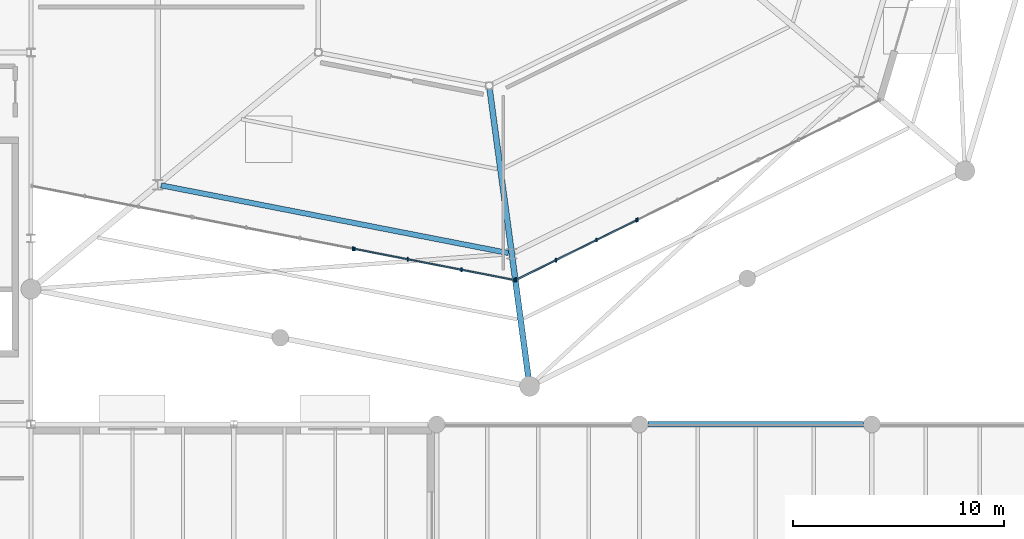
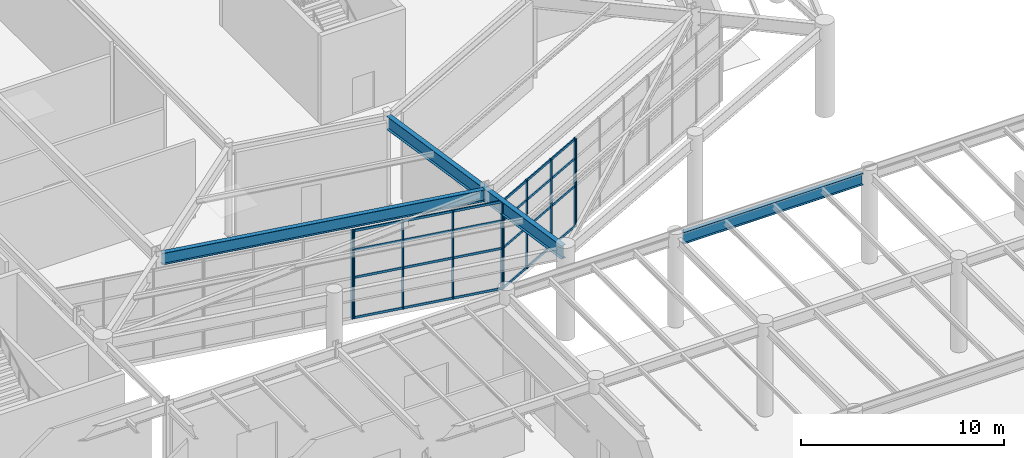
# One storey, part 29 of 70: 18 members, 3 beams, 4 elements without a shape of their own.
"""IFC4 building model written with IfcOpenShell, lengths in metres."""

import ifcopenshell
import ifcopenshell.guid

model = None  # the IFC model being written
_history = None  # IfcOwnerHistory: only IFC2X3 demands one
_inside = {}  # id of a spatial element -> (the spatial element, [elements in it])
_under = {}  # id of a project, library or spatial element -> (it, [spatial elements below it])
_declared = {}  # id of a project -> (the project, [libraries it declares])
_typed = {}  # id of a type object -> (the type object, [elements of that type])
_made_of = {}  # id of a material, layer set ... -> (it, [elements and type objects made of it])


def new_model(schema):
    """Start an empty IFC model of exactly this schema.

    Asked for "IFC4X3", IfcOpenShell would pick the latest addendum, in which some entities
    have other attributes; the version numbers below select the first issue.
    IFC2X3 requires an IfcOwnerHistory on every rooted entity: one is made here for all.
    """
    global model, _history
    if schema == "IFC4X3":
        model = ifcopenshell.file(schema_version=(4, 3, 0, 0))
    else:
        model = ifcopenshell.file(schema=schema)
    _inside.clear()
    _under.clear()
    _declared.clear()
    _typed.clear()
    _made_of.clear()
    _history = None
    if model.schema == "IFC2X3":
        org = make("IfcOrganization", Name="unknown")
        user = make(
            "IfcPersonAndOrganization",
            ThePerson=make("IfcPerson", FamilyName="unknown"),
            TheOrganization=org,
        )
        app = make(
            "IfcApplication",
            ApplicationDeveloper=org,
            Version="unknown",
            ApplicationFullName="unknown",
            ApplicationIdentifier="unknown",
        )
        _history = make(
            "IfcOwnerHistory",
            OwningUser=user,
            OwningApplication=app,
            ChangeAction="ADDED",
            CreationDate=0,
        )
    return model


def make(cls, **values):
    """One entity of the class cls with the attributes given. An attribute that is None is left unset."""
    return model.create_entity(
        cls, **{name: value for name, value in values.items() if value is not None}
    )


def rooted(cls, **values):
    """An entity with a GlobalId (a new one), such as an element, a storey or a relation."""
    return make(cls, GlobalId=ifcopenshell.guid.new(), OwnerHistory=_history, **values)


def si_unit(unit_type, name, prefix=None):
    """IfcSIUnit, for example si_unit("LENGTHUNIT", "METRE", prefix="MILLI")."""
    return make("IfcSIUnit", UnitType=unit_type, Prefix=prefix, Name=name)


def assignment(units):
    """IfcUnitAssignment: the units of a project."""
    return None if units is None else make("IfcUnitAssignment", Units=units)


def point(xyz):
    """IfcCartesianPoint."""
    return None if xyz is None else make("IfcCartesianPoint", Coordinates=xyz)


def direction(xyz):
    """IfcDirection."""
    return None if xyz is None else make("IfcDirection", DirectionRatios=xyz)


def frame(location, z_axis=None, x_axis=None):
    """IfcAxis2Placement3D, a coordinate frame: its origin and axes. An axis left out is left unset."""
    return make(
        "IfcAxis2Placement3D",
        Location=point(location),
        Axis=direction(z_axis),
        RefDirection=direction(x_axis),
    )


def frame_2d(location, x_axis=None):
    """IfcAxis2Placement2D, a coordinate frame in the plane: its origin and x axis."""
    return make(
        "IfcAxis2Placement2D", Location=point(location), RefDirection=direction(x_axis)
    )


def origin():
    """The frame at (0, 0, 0) with its axes left unset."""
    return frame((0.0, 0.0, 0.0))


def origin_2d():
    """The frame at (0, 0) in the plane with its x axis left unset."""
    return frame_2d((0.0, 0.0))


def place(relative_to, where):
    """IfcLocalPlacement: puts the frame where relative to a parent placement (None: the world)."""
    return make(
        "IfcLocalPlacement", PlacementRelTo=relative_to, RelativePlacement=where
    )


def context(
    kind, dimensions, precision=None, world=None, true_north=None, identifier=None
):
    """IfcGeometricRepresentationContext, for example the 3D "Model" context."""
    return make(
        "IfcGeometricRepresentationContext",
        ContextIdentifier=identifier,
        ContextType=kind,
        CoordinateSpaceDimension=dimensions,
        Precision=precision,
        WorldCoordinateSystem=world,
        TrueNorth=true_north,
    )


def subcontext(parent, identifier, kind, view, scale=None):
    """IfcGeometricRepresentationSubContext, for example "Body" below "Model"."""
    return make(
        "IfcGeometricRepresentationSubContext",
        ContextIdentifier=identifier,
        ContextType=kind,
        ParentContext=parent,
        TargetScale=scale,
        TargetView=view,
    )


def project(units=None, contexts=None):
    """IfcProject with its units and contexts."""
    return rooted(
        "IfcProject",
        Name="project",
        RepresentationContexts=contexts,
        UnitsInContext=assignment(units),
    )


def spatial(cls, under=None, at=None, **own):
    """A site, building, storey or space (cls), placed at a placement, below another one or the project."""
    s = rooted(cls, ObjectPlacement=at, **own)
    if under is not None:
        _under.setdefault(under.id(), (under, []))[1].append(s)
    return s


def profile(cls, at=None, kind="AREA", **sizes):
    """A parametric profile (cls). Its sizes go by their IFC names, for example OverallWidth=200.0."""
    return make(cls, ProfileType=kind, Position=at, **sizes)


def rectangle(**sizes):
    """IfcRectangleProfileDef."""
    return profile("IfcRectangleProfileDef", **sizes)


def i_section(**sizes):
    """IfcIShapeProfileDef."""
    return profile("IfcIShapeProfileDef", **sizes)


def extrude(swept, where, along, depth):
    """IfcExtrudedAreaSolid: the profile swept, set in the frame where, extruded along a direction by depth."""
    return make(
        "IfcExtrudedAreaSolid",
        SweptArea=swept,
        Position=where,
        ExtrudedDirection=direction(along),
        Depth=depth,
    )


def shape(context_of_items, identifier, shape_type, items):
    """IfcShapeRepresentation: the items that make up one representation, for example the "Body"."""
    return make(
        "IfcShapeRepresentation",
        ContextOfItems=context_of_items,
        RepresentationIdentifier=identifier,
        RepresentationType=shape_type,
        Items=items,
    )


def material(Name=None, Category=None):
    """IfcMaterial."""
    return make("IfcMaterial", Name=Name, Category=Category)


def material_profile(
    of_material, cross_section, Name=None, Category=None, Priority=None
):
    """IfcMaterialProfile: a cross section and its material."""
    return make(
        "IfcMaterialProfile",
        Name=Name,
        Material=of_material,
        Profile=cross_section,
        Priority=Priority,
        Category=Category,
    )


def profile_set(profiles, Name=None, composite=None):
    """IfcMaterialProfileSet."""
    return make(
        "IfcMaterialProfileSet",
        Name=Name,
        MaterialProfiles=profiles,
        CompositeProfile=composite,
    )


def made_of(thing, what):
    """Note that an element or type object is made of a material, layer set ...; save() writes the relation."""
    if what is not None:
        _made_of.setdefault(what.id(), (what, []))[1].append(thing)
    return thing


def type_object(cls, material=None, **own):
    """A type object (cls), such as IfcWallType, which elements share."""
    return made_of(rooted(cls, **own), material)


def element(
    cls,
    number,
    at=None,
    inside=None,
    cuts=None,
    type_object=None,
    material=None,
    context=None,
    identifier="Body",
    shape_type=None,
    held_by="IfcProductDefinitionShape",
    body=None,
    shapes=None,
    **own,
):
    """One element of the class cls, such as IfcWall. Its Tag is "e" and its number.

    at: its placement. inside: the storey or other place that contains it. cuts: it is an
    opening in that element (IfcRelVoidsElement). A single representation is given by context,
    identifier, shape_type and body (its items); several are given by shapes. held_by: the class
    of the entity that holds the representations. save() writes the other relations.
    """
    e = rooted(cls, Tag="e%d" % number, ObjectPlacement=at, **own)
    if body is not None:
        shapes = [shape(context, identifier, shape_type, body)]
    if shapes is not None:
        e.Representation = make(held_by, Representations=shapes)
    if inside is not None:
        _inside.setdefault(inside.id(), (inside, []))[1].append(e)
    if cuts is not None:
        rooted(
            "IfcRelVoidsElement", RelatingBuildingElement=cuts, RelatedOpeningElement=e
        )
    if type_object is not None:
        _typed.setdefault(type_object.id(), (type_object, []))[1].append(e)
    return made_of(e, material)


def aggregate(whole, parts):
    """IfcRelAggregates: a whole, such as a stair, and the parts it consists of."""
    return rooted("IfcRelAggregates", RelatingObject=whole, RelatedObjects=parts)


def save(model, path):
    """Write the relations noted so far, then the file.

    IfcRelAggregates (storeys below a building ...), IfcRelContainedInSpatialStructure (elements
    in a storey), IfcRelDefinesByType, IfcRelAssociatesMaterial and IfcRelDeclares: one each for
    every whole, place, type object, material and project.
    """
    for whole, parts in _under.values():
        aggregate(whole, parts)
    for where, things in _inside.values():
        rooted(
            "IfcRelContainedInSpatialStructure",
            RelatedElements=things,
            RelatingStructure=where,
        )
    for kind, things in _typed.values():
        rooted("IfcRelDefinesByType", RelatedObjects=things, RelatingType=kind)
    for what, things in _made_of.values():
        rooted("IfcRelAssociatesMaterial", RelatedObjects=things, RelatingMaterial=what)
    for by, libraries in _declared.values():
        rooted("IfcRelDeclares", RelatingContext=by, RelatedDefinitions=libraries)
    model.write(path)


model = new_model("IFC4")

# Units and contexts
model_context = context("Model", 3, precision=1e-05, world=origin(), true_north=direction((0.0, 1.0)))
body_context = subcontext(model_context, "Body", "Model", "MODEL_VIEW")
ifc_project = project(units=[si_unit("LENGTHUNIT", "METRE"), si_unit("AREAUNIT", "SQUARE_METRE"), si_unit("VOLUMEUNIT", "CUBIC_METRE"), si_unit("PLANEANGLEUNIT", "RADIAN"), si_unit("MASSUNIT", "GRAM", prefix="KILO")], contexts=[model_context])

# Site, building, storey
site_placement = place(None, origin())
site = spatial("IfcSite", under=ifc_project, at=site_placement, CompositionType="ELEMENT")
building_placement = place(site_placement, origin())
building = spatial("IfcBuilding", under=site, at=building_placement, Name="Sarnbrook Museum", CompositionType="ELEMENT")
storey_placement = place(building_placement, origin())
storey = spatial("IfcBuildingStorey", under=building, at=storey_placement, Name="L00", CompositionType="ELEMENT", Elevation=0.0)

# Beams
ifc_material_1 = material(Name="Structural Steel Grade 350L0 (AS/NZS 3678, fy = 340 MPa for 20 < t <= 40 mm)", Category="steel")
ifc_material_profile_1 = material_profile(ifc_material_1, i_section(OverallWidth=0.25, OverallDepth=0.699951171875, WebThickness=0.010009765625, FlangeThickness=0.01611328125, at=origin_2d()), Name="700WB130")
ifc_profile_set_1 = profile_set([ifc_material_profile_1], Name="Structural Steel Grade 350L0 (AS/NZS 3678, fy = 340 MPa for 20 < t <= 40 mm)")
beam_type_1 = type_object("IfcBeamType", Name="BM-WB700", PredefinedType="BEAM", material=ifc_profile_set_1)
beam_1_placement = place(storey_placement, frame((148.39990234375, 56.800048828125, 5.02001953125), z_axis=(1.0, 0.0, 0.0), x_axis=(0.0, 1.0, 0.0)))
element("IfcBeam", 1, at=beam_1_placement, inside=storey, type_object=beam_type_1, Name="Girder G:16-17 L00", PredefinedType="BEAM", context=body_context, shape_type="SweptSolid", body=[
    extrude(i_section(OverallWidth=0.25, OverallDepth=0.699951171875, WebThickness=0.010009765625, FlangeThickness=0.01611328125, at=origin_2d()), origin(), (0.0, 0.0, 1.0), 10.2001953125),
])
beam_2_placement = place(storey_placement, frame((125.35693359375, 68.11279296875, 4.989990234375), z_axis=(0.981528590883, -0.191315512384, 0.0), x_axis=(0.191315512384, 0.981528590883, 0.0)))
element("IfcBeam", 2, at=beam_2_placement, inside=storey, type_object=beam_type_1, Name="Crystal Hall R1 Ring Girder 1 L00", PredefinedType="BEAM", context=body_context, shape_type="SweptSolid", body=[
    extrude(i_section(OverallWidth=0.25, OverallDepth=0.699951171875, WebThickness=0.010009765625, FlangeThickness=0.01611328125, at=origin_2d()), origin(), (0.0, 0.0, 1.0), 16.75146484375),
])
ifc_material_profile_2 = material_profile(ifc_material_1, i_section(OverallWidth=0.27490234375, OverallDepth=0.800048828125, WebThickness=0.010009765625, FlangeThickness=0.01611328125, at=origin_2d()), Name="800WB146")
ifc_profile_set_2 = profile_set([ifc_material_profile_2], Name="Structural Steel Grade 350L0 (AS/NZS 3678, fy = 340 MPa for 20 < t <= 40 mm)")
beam_type_2 = type_object("IfcBeamType", Name="CR-CANT", PredefinedType="BEAM", material=ifc_profile_set_2)
beam_3_placement = place(storey_placement, frame((140.9033203125, 72.7099609375, 4.93994140625), z_axis=(0.133225086928, -0.991085806685, 0.0), x_axis=(0.991085806685, 0.133225086928, 0.0)))
element("IfcBeam", 3, at=beam_3_placement, inside=storey, type_object=beam_type_2, Name="Crystal Hall Radial Cantilever Girder 2 L00", PredefinedType="BEAM", context=body_context, shape_type="SweptSolid", body=[
    extrude(i_section(OverallWidth=0.27490234375, OverallDepth=0.800048828125, WebThickness=0.010009765625, FlangeThickness=0.01611328125, at=origin_2d()), origin(), (0.0, 0.0, 1.0), 14.086669921875),
])

# Curtain wall, member
ifc_material_2 = material(Name="Thermally Broken Anodised Aluminium 6063-T6", Category="aluminium")
curtain_wall_type = type_object("IfcCurtainWallType", Name="CurtainWall_Colonnade", PredefinedType="NOTDEFINED", material=ifc_material_2)
curtain_wall_1_placement = place(storey_placement, origin())
curtain_wall_1 = element("IfcCurtainWall", 4, at=curtain_wall_1_placement, inside=storey, type_object=curtain_wall_type, Name="Colonnade Recessed Glazing L00-F1.2", PredefinedType="NOTDEFINED")
ifc_material_profile_3 = material_profile(ifc_material_2, rectangle(XDim=0.06494140625, YDim=0.179931640625, at=origin_2d()), Name="ALU MULLION 65x180")
ifc_profile_set_3 = profile_set([ifc_material_profile_3], Name="Thermally Broken Anodised Aluminium 6063-T6")
member_type_1 = type_object("IfcMemberType", Name="CW_Mullion_180x75", PredefinedType="MULLION", material=ifc_profile_set_3)
member_1_placement = place(storey_placement, frame((134.444091796875, 65.118896484375, 0.0), z_axis=(0.0, 0.0, 1.0), x_axis=(1.0, 0.0, 0.0)))
member_1 = element("IfcMember", 5, at=member_1_placement, type_object=member_type_1, Name="Colonnade Recessed Glazing L00-F1.2 Mullion 4", PredefinedType="MULLION", context=body_context, shape_type="SweptSolid", body=[
    extrude(rectangle(XDim=0.06494140625, YDim=0.179931640625, at=origin_2d()), origin(), (0.0, 0.0, 1.0), 5.2900390625),
])
aggregate(curtain_wall_1, [member_1])

# Curtain wall, members
curtain_wall_2_placement = place(storey_placement, origin())
curtain_wall_2 = element("IfcCurtainWall", 6, at=curtain_wall_2_placement, inside=storey, type_object=curtain_wall_type, Name="Colonnade Recessed Glazing L00-F1.3", PredefinedType="NOTDEFINED")
member_2_placement = place(storey_placement, frame((134.5224609375, 65.103759765625, 0.0), z_axis=(0.0, 0.0, 1.0), x_axis=(1.0, 0.0, 0.0)))
member_2 = element("IfcMember", 7, at=member_2_placement, type_object=member_type_1, Name="Colonnade Recessed Glazing L00-F1.3 Mullion 1", PredefinedType="MULLION", context=body_context, shape_type="SweptSolid", body=[
    extrude(rectangle(XDim=0.06494140625, YDim=0.179931640625, at=origin_2d()), origin(), (0.0, 0.0, 1.0), 5.2900390625),
])
member_3_placement = place(storey_placement, frame((137.030517578125, 64.614990234375, 0.0), z_axis=(0.0, 0.0, 1.0), x_axis=(1.0, 0.0, 0.0)))
member_3 = element("IfcMember", 8, at=member_3_placement, type_object=member_type_1, Name="Colonnade Recessed Glazing L00-F1.3 Mullion 2", PredefinedType="MULLION", context=body_context, shape_type="SweptSolid", body=[
    extrude(rectangle(XDim=0.06494140625, YDim=0.179931640625, at=origin_2d()), origin(), (0.0, 0.0, 1.0), 5.2900390625),
])
member_4_placement = place(storey_placement, frame((139.57763671875, 64.118408203125, 0.0), z_axis=(0.0, 0.0, 1.0), x_axis=(1.0, 0.0, 0.0)))
member_4 = element("IfcMember", 9, at=member_4_placement, type_object=member_type_1, Name="Colonnade Recessed Glazing L00-F1.3 Mullion 3", PredefinedType="MULLION", context=body_context, shape_type="SweptSolid", body=[
    extrude(rectangle(XDim=0.06494140625, YDim=0.179931640625, at=origin_2d()), origin(), (0.0, 0.0, 1.0), 5.2900390625),
])
member_5_placement = place(storey_placement, frame((142.085693359375, 63.629638671875, 0.0), z_axis=(0.0, 0.0, 1.0), x_axis=(1.0, 0.0, 0.0)))
member_5 = element("IfcMember", 10, at=member_5_placement, type_object=member_type_1, Name="Colonnade Recessed Glazing L00-F1.3 Mullion 4", PredefinedType="MULLION", context=body_context, shape_type="SweptSolid", body=[
    extrude(rectangle(XDim=0.06494140625, YDim=0.179931640625, at=origin_2d()), origin(), (0.0, 0.0, 1.0), 5.2900390625),
])

curtain_wall_3_placement = place(storey_placement, origin())
curtain_wall_3 = element("IfcCurtainWall", 11, at=curtain_wall_3_placement, inside=storey, type_object=curtain_wall_type, Name="Colonnade Recessed Glazing L00-F2.1", PredefinedType="NOTDEFINED")
member_6_placement = place(storey_placement, frame((142.16064453125, 63.6396484375, 0.0), z_axis=(0.0, 0.0, 1.0), x_axis=(1.0, 0.0, 0.0)))
member_6 = element("IfcMember", 12, at=member_6_placement, type_object=member_type_1, Name="Colonnade Recessed Glazing L00-F2.1 Mullion 1", PredefinedType="MULLION", context=body_context, shape_type="SweptSolid", body=[
    extrude(rectangle(XDim=0.06494140625, YDim=0.179931640625, at=origin_2d()), origin(), (0.0, 0.0, 1.0), 5.2900390625),
])
member_7_placement = place(storey_placement, frame((144.043701171875, 64.572021484375, 0.0), z_axis=(0.0, 0.0, 1.0), x_axis=(1.0, 0.0, 0.0)))
member_7 = element("IfcMember", 13, at=member_7_placement, type_object=member_type_1, Name="Colonnade Recessed Glazing L00-F2.1 Mullion 2", PredefinedType="MULLION", context=body_context, shape_type="SweptSolid", body=[
    extrude(rectangle(XDim=0.06494140625, YDim=0.179931640625, at=origin_2d()), origin(), (0.0, 0.0, 1.0), 5.2900390625),
])
member_8_placement = place(storey_placement, frame((145.96240234375, 65.522216796875, 0.0), z_axis=(0.0, 0.0, 1.0), x_axis=(1.0, 0.0, 0.0)))
member_8 = element("IfcMember", 14, at=member_8_placement, type_object=member_type_1, Name="Colonnade Recessed Glazing L00-F2.1 Mullion 3", PredefinedType="MULLION", context=body_context, shape_type="SweptSolid", body=[
    extrude(rectangle(XDim=0.06494140625, YDim=0.179931640625, at=origin_2d()), origin(), (0.0, 0.0, 1.0), 5.2900390625),
])
member_9_placement = place(storey_placement, frame((147.845458984375, 66.454345703125, 0.0), z_axis=(0.0, 0.0, 1.0), x_axis=(1.0, 0.0, 0.0)))
member_9 = element("IfcMember", 15, at=member_9_placement, type_object=member_type_1, Name="Colonnade Recessed Glazing L00-F2.1 Mullion 4", PredefinedType="MULLION", context=body_context, shape_type="SweptSolid", body=[
    extrude(rectangle(XDim=0.06494140625, YDim=0.179931640625, at=origin_2d()), origin(), (0.0, 0.0, 1.0), 5.2900390625),
])

# Curtain wall, member
curtain_wall_4_placement = place(storey_placement, origin())
curtain_wall_4 = element("IfcCurtainWall", 16, at=curtain_wall_4_placement, inside=storey, type_object=curtain_wall_type, Name="Colonnade Recessed Glazing L00-F2.2", PredefinedType="NOTDEFINED")
member_10_placement = place(storey_placement, frame((147.917236328125, 66.489990234375, 0.0), z_axis=(0.0, 0.0, 1.0), x_axis=(1.0, 0.0, 0.0)))
member_10 = element("IfcMember", 17, at=member_10_placement, type_object=member_type_1, Name="Colonnade Recessed Glazing L00-F2.2 Mullion 1", PredefinedType="MULLION", context=body_context, shape_type="SweptSolid", body=[
    extrude(rectangle(XDim=0.06494140625, YDim=0.179931640625, at=origin_2d()), origin(), (0.0, 0.0, 1.0), 5.2900390625),
])
aggregate(curtain_wall_4, [member_10])

# Member
ifc_material_profile_4 = material_profile(ifc_material_2, rectangle(XDim=0.06494140625, YDim=0.139892578125, at=origin_2d()), Name="ALU TRANSOM 65x140")
ifc_profile_set_4 = profile_set([ifc_material_profile_4], Name="Thermally Broken Anodised Aluminium 6063-T6")
member_type_2 = type_object("IfcMemberType", Name="CW_Transom_150x65", PredefinedType="USERDEFINED", material=ifc_profile_set_4)
member_11_placement = place(storey_placement, frame((134.5322265625, 65.101806640625, 0.0400390625), z_axis=(0.981531638785, -0.191299874709, 0.0), x_axis=(0.191299874709, 0.981531638785, 0.0)))
member_11 = element("IfcMember", 18, at=member_11_placement, type_object=member_type_2, Name="Colonnade Recessed Glazing L00-F1.3 Transom 1", ObjectType="TRANSOM", PredefinedType="USERDEFINED", context=body_context, shape_type="SweptSolid", body=[
    extrude(rectangle(XDim=0.06494140625, YDim=0.139892578125, at=origin_2d()), origin(), (0.0, 0.0, 1.0), 7.685302734375),
])

member_12_placement = place(storey_placement, frame((134.5322265625, 65.101806640625, 2.449951171875), z_axis=(0.981531638785, -0.191299874709, 0.0), x_axis=(0.191299874709, 0.981531638785, 0.0)))
member_12 = element("IfcMember", 19, at=member_12_placement, type_object=member_type_2, Name="Colonnade Recessed Glazing L00-F1.3 Transom 2", ObjectType="TRANSOM", PredefinedType="USERDEFINED", context=body_context, shape_type="SweptSolid", body=[
    extrude(rectangle(XDim=0.06494140625, YDim=0.139892578125, at=origin_2d()), origin(), (0.0, 0.0, 1.0), 7.685302734375),
])

member_13_placement = place(storey_placement, frame((134.5322265625, 65.101806640625, 4.10009765625), z_axis=(0.981531638785, -0.191299874709, 0.0), x_axis=(0.191299874709, 0.981531638785, 0.0)))
member_13 = element("IfcMember", 20, at=member_13_placement, type_object=member_type_2, Name="Colonnade Recessed Glazing L00-F1.3 Transom 3", ObjectType="TRANSOM", PredefinedType="USERDEFINED", context=body_context, shape_type="SweptSolid", body=[
    extrude(rectangle(XDim=0.06494140625, YDim=0.139892578125, at=origin_2d()), origin(), (0.0, 0.0, 1.0), 7.685302734375),
])

member_14_placement = place(storey_placement, frame((134.5322265625, 65.101806640625, 5.25), z_axis=(0.981531638785, -0.191299874709, 0.0), x_axis=(0.191299874709, 0.981531638785, 0.0)))
member_14 = element("IfcMember", 21, at=member_14_placement, type_object=member_type_2, Name="Colonnade Recessed Glazing L00-F1.3 Transom 4", ObjectType="TRANSOM", PredefinedType="USERDEFINED", context=body_context, shape_type="SweptSolid", body=[
    extrude(rectangle(XDim=0.06494140625, YDim=0.139892578125, at=origin_2d()), origin(), (0.0, 0.0, 1.0), 7.685302734375),
])

aggregate(curtain_wall_2, [member_2, member_3, member_4, member_5, member_11, member_12, member_13, member_14])

member_15_placement = place(storey_placement, frame((142.169677734375, 63.64404296875, 0.0400390625), z_axis=(0.896157854612, 0.443735393695, 0.0), x_axis=(-0.443735393695, 0.896157854612, 0.0)))
member_15 = element("IfcMember", 22, at=member_15_placement, type_object=member_type_2, Name="Colonnade Recessed Glazing L00-F2.1 Transom 1", ObjectType="TRANSOM", PredefinedType="USERDEFINED", context=body_context, shape_type="SweptSolid", body=[
    extrude(rectangle(XDim=0.06494140625, YDim=0.139892578125, at=origin_2d()), origin(), (0.0, 0.0, 1.0), 6.323486328125),
])

member_16_placement = place(storey_placement, frame((142.169677734375, 63.64404296875, 2.449951171875), z_axis=(0.896157854612, 0.443735393695, 0.0), x_axis=(-0.443735393695, 0.896157854612, 0.0)))
member_16 = element("IfcMember", 23, at=member_16_placement, type_object=member_type_2, Name="Colonnade Recessed Glazing L00-F2.1 Transom 2", ObjectType="TRANSOM", PredefinedType="USERDEFINED", context=body_context, shape_type="SweptSolid", body=[
    extrude(rectangle(XDim=0.06494140625, YDim=0.139892578125, at=origin_2d()), origin(), (0.0, 0.0, 1.0), 6.323486328125),
])

member_17_placement = place(storey_placement, frame((142.169677734375, 63.64404296875, 4.10009765625), z_axis=(0.896157854612, 0.443735393695, 0.0), x_axis=(-0.443735393695, 0.896157854612, 0.0)))
member_17 = element("IfcMember", 24, at=member_17_placement, type_object=member_type_2, Name="Colonnade Recessed Glazing L00-F2.1 Transom 3", ObjectType="TRANSOM", PredefinedType="USERDEFINED", context=body_context, shape_type="SweptSolid", body=[
    extrude(rectangle(XDim=0.06494140625, YDim=0.139892578125, at=origin_2d()), origin(), (0.0, 0.0, 1.0), 6.323486328125),
])

member_18_placement = place(storey_placement, frame((142.169677734375, 63.64404296875, 5.25), z_axis=(0.896157854612, 0.443735393695, 0.0), x_axis=(-0.443735393695, 0.896157854612, 0.0)))
member_18 = element("IfcMember", 25, at=member_18_placement, type_object=member_type_2, Name="Colonnade Recessed Glazing L00-F2.1 Transom 4", ObjectType="TRANSOM", PredefinedType="USERDEFINED", context=body_context, shape_type="SweptSolid", body=[
    extrude(rectangle(XDim=0.06494140625, YDim=0.139892578125, at=origin_2d()), origin(), (0.0, 0.0, 1.0), 6.323486328125),
])

aggregate(curtain_wall_3, [member_6, member_7, member_8, member_9, member_15, member_16, member_17, member_18])

save(model, "model.ifc")
